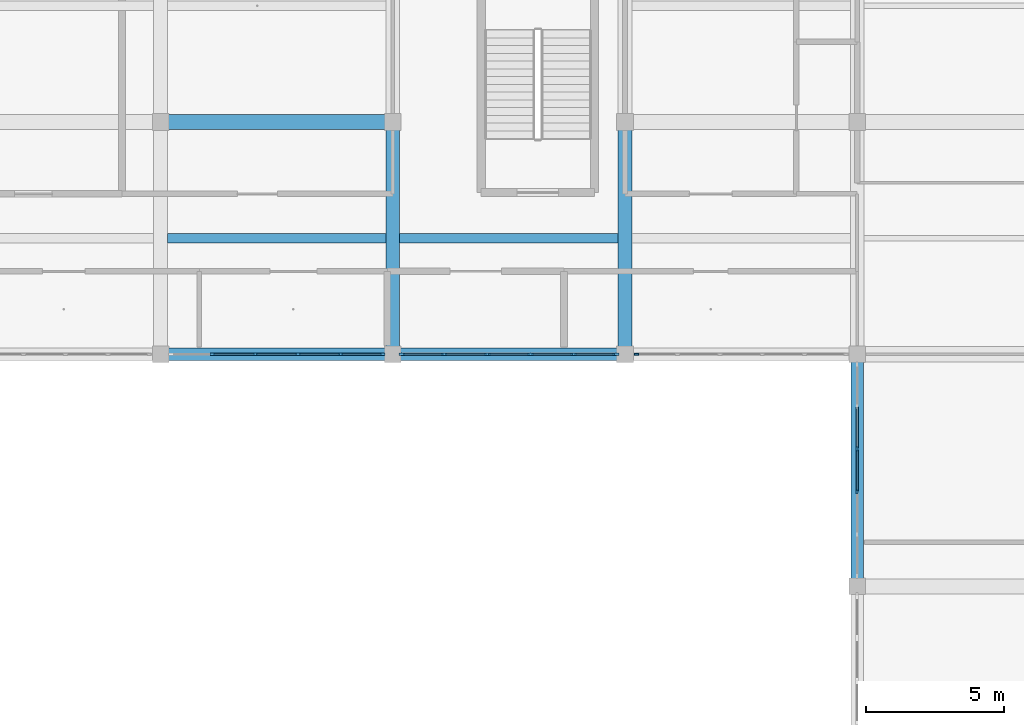
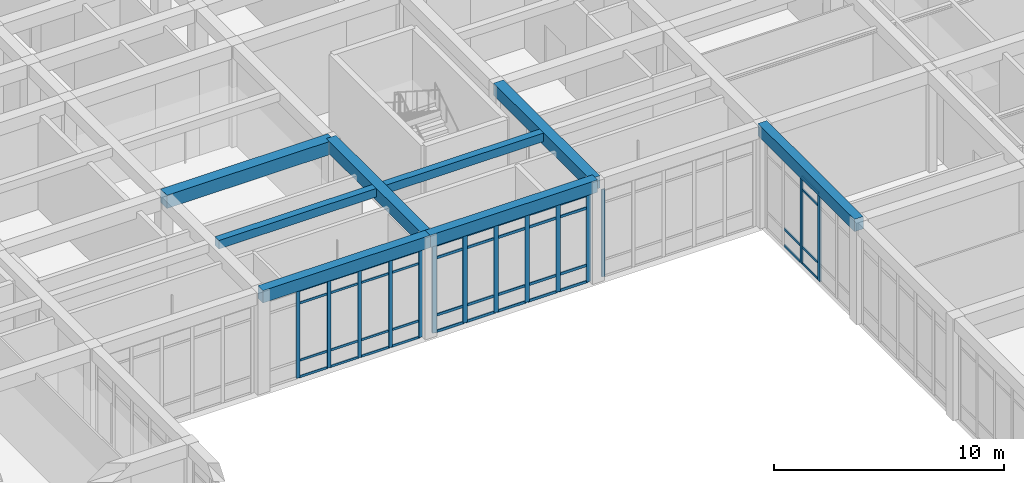
# One storey, part 51 of 157: 56 members, 8 beams, 4 elements without a shape of their own.
"""IFC4 building model written with IfcOpenShell, lengths in metres."""

from ifc_helpers import new_model, si_unit, direction, frame, origin, origin_2d, place, context, subcontext, project, spatial, rectangle, extrude, material, material_profile, profile_set, type_object, element, aggregate, save


model = new_model("IFC4")

# Units and contexts
model_context = context("Model", 3, precision=1e-05, world=origin(), true_north=direction((0.0, 1.0)))
body_context = subcontext(model_context, "Body", "Model", "MODEL_VIEW")
ifc_project = project(units=[si_unit("LENGTHUNIT", "METRE"), si_unit("AREAUNIT", "SQUARE_METRE"), si_unit("VOLUMEUNIT", "CUBIC_METRE"), si_unit("PLANEANGLEUNIT", "RADIAN"), si_unit("MASSUNIT", "GRAM", prefix="KILO")], contexts=[model_context])

# Site, building, storey
site_placement = place(None, origin())
site = spatial("IfcSite", under=ifc_project, at=site_placement, CompositionType="ELEMENT")
building_placement = place(site_placement, origin())
building = spatial("IfcBuilding", under=site, at=building_placement, Name="Varncliffe General Hospital", CompositionType="ELEMENT")
storey_placement = place(building_placement, frame((0.0, 0.0, 5.39990234375)))
storey = spatial("IfcBuildingStorey", under=building, at=storey_placement, Name="L01", CompositionType="ELEMENT", Elevation=5.39990234375)

# Beams
ifc_material_1 = material(Name="Concrete C35/45 (CSA A23.1 35 MPa)", Category="concrete")
ifc_material_profile_1 = material_profile(ifc_material_1, rectangle(XDim=0.5, YDim=0.64990234375, at=origin_2d()), Name="RC 500x650")
ifc_profile_set_1 = profile_set([ifc_material_profile_1], Name="Concrete C35/45 (CSA A23.1 35 MPa)")
beam_type_1 = type_object("IfcBeamType", Name="Beam B29 (Int RC 500x650)", PredefinedType="BEAM", material=ifc_profile_set_1)
for number, where, z_axis, x_axis, name in (
    (1, (134.39990234375, 82.800048828125, 5.0751953125), (0.0, 1.0, 0.0), (-1.0, 0.0, 0.0), "L01 Primary Beam B29-444"),
    (2, (142.800048828125, 82.800048828125, 5.0751953125), (0.0, 1.0, 0.0), (-1.0, 0.0, 0.0), "L01 Primary Beam B29-453"),
):
    element("IfcBeam", number, at=place(storey_placement, frame(where, z_axis=z_axis, x_axis=x_axis)), inside=storey, type_object=beam_type_1, Name=name, PredefinedType="BEAM", context=body_context, shape_type="SweptSolid", body=[
        extrude(rectangle(XDim=0.5, YDim=0.64990234375, at=origin_2d()), origin(), (0.0, 0.0, 1.0), 8.39990234375),
    ])
ifc_material_profile_2 = material_profile(ifc_material_1, rectangle(XDim=0.550048828125, YDim=0.699951171875, at=origin_2d()), Name="RC 550x700")
ifc_profile_set_2 = profile_set([ifc_material_profile_2], Name="Concrete C35/45 (CSA A23.1 35 MPa)")
beam_type_2 = type_object("IfcBeamType", Name="Beam B35 (Int RC 550x700)", PredefinedType="BEAM", material=ifc_profile_set_2)
beam_1_placement = place(storey_placement, frame((126.0, 91.199951171875, 5.050048828125), z_axis=(1.0, 0.0, 0.0), x_axis=(0.0, 1.0, 0.0)))
element("IfcBeam", 3, at=beam_1_placement, inside=storey, type_object=beam_type_2, Name="L01 Primary Beam B35-145", PredefinedType="BEAM", context=body_context, shape_type="SweptSolid", body=[
    extrude(rectangle(XDim=0.550048828125, YDim=0.699951171875, at=origin_2d()), origin(), (0.0, 0.0, 1.0), 8.39990234375),
])

# Curtain wall, members
ifc_material_2 = material(Name="Triple low-E argon insulated vision glazing", Category="glass")
curtain_wall_type_1 = type_object("IfcCurtainWallType", Name="Unitised Glazed Curtain Wall CW70 (7724x4640)", PredefinedType="USERDEFINED", material=ifc_material_2)
curtain_wall_1_placement = place(storey_placement, origin())
curtain_wall_1 = element("IfcCurtainWall", 4, at=curtain_wall_1_placement, inside=storey, type_object=curtain_wall_type_1, Name="L01 Glazed Curtain Wall CW70-67", ObjectType="GLAZED CURTAIN WALL", PredefinedType="USERDEFINED")
ifc_material_3 = material(Name="Dark bronze thermally broken aluminium framing", Category="aluminium")
ifc_material_profile_3 = material_profile(ifc_material_3, rectangle(XDim=0.074951171875, YDim=0.179931640625, at=origin_2d()), Name="ALU 75x180")
ifc_profile_set_3 = profile_set([ifc_material_profile_3], Name="Dark bronze thermally broken aluminium framing")
member_type_1 = type_object("IfcMemberType", Name="Curtain Wall Mullion CM44 (ALU 75x180)", PredefinedType="MULLION", material=ifc_profile_set_3)
member_1_placement = place(storey_placement, frame((151.199951171875, 77.82763671875, 0.0), z_axis=(0.0, 0.0, 1.0), x_axis=(-1.0, 0.0, 0.0)))
member_1 = element("IfcMember", 5, at=member_1_placement, type_object=member_type_1, Name="CW70 mullion 3", PredefinedType="MULLION", context=body_context, shape_type="SweptSolid", body=[
    extrude(rectangle(XDim=0.074951171875, YDim=0.179931640625, at=origin_2d()), origin(), (0.0, 0.0, 1.0), 4.64013671875),
])
member_2_placement = place(storey_placement, frame((151.199951171875, 79.372314453125, 0.0), z_axis=(0.0, 0.0, 1.0), x_axis=(-1.0, 0.0, 0.0)))
member_2 = element("IfcMember", 6, at=member_2_placement, type_object=member_type_1, Name="CW70 mullion 4", PredefinedType="MULLION", context=body_context, shape_type="SweptSolid", body=[
    extrude(rectangle(XDim=0.074951171875, YDim=0.179931640625, at=origin_2d()), origin(), (0.0, 0.0, 1.0), 4.64013671875),
])

curtain_wall_2_placement = place(storey_placement, origin())
curtain_wall_2 = element("IfcCurtainWall", 7, at=curtain_wall_2_placement, inside=storey, type_object=curtain_wall_type_1, Name="L01 Glazed Curtain Wall CW70-70", ObjectType="GLAZED CURTAIN WALL", PredefinedType="USERDEFINED")
member_3_placement = place(storey_placement, frame((134.0244140625, 82.800048828125, 0.0), z_axis=(0.0, 0.0, 1.0), x_axis=(0.0, -1.0, 0.0)))
member_3 = element("IfcMember", 8, at=member_3_placement, type_object=member_type_1, Name="CW70 mullion 1", PredefinedType="MULLION", context=body_context, shape_type="SweptSolid", body=[
    extrude(rectangle(XDim=0.074951171875, YDim=0.179931640625, at=origin_2d()), origin(), (0.0, 0.0, 1.0), 4.64013671875),
])
member_4_placement = place(storey_placement, frame((132.51708984375, 82.800048828125, 0.0), z_axis=(0.0, 0.0, 1.0), x_axis=(0.0, -1.0, 0.0)))
member_4 = element("IfcMember", 9, at=member_4_placement, type_object=member_type_1, Name="CW70 mullion 2", PredefinedType="MULLION", context=body_context, shape_type="SweptSolid", body=[
    extrude(rectangle(XDim=0.074951171875, YDim=0.179931640625, at=origin_2d()), origin(), (0.0, 0.0, 1.0), 4.64013671875),
])
member_5_placement = place(storey_placement, frame((130.972412109375, 82.800048828125, 0.0), z_axis=(0.0, 0.0, 1.0), x_axis=(0.0, -1.0, 0.0)))
member_5 = element("IfcMember", 10, at=member_5_placement, type_object=member_type_1, Name="CW70 mullion 3", PredefinedType="MULLION", context=body_context, shape_type="SweptSolid", body=[
    extrude(rectangle(XDim=0.074951171875, YDim=0.179931640625, at=origin_2d()), origin(), (0.0, 0.0, 1.0), 4.64013671875),
])
member_6_placement = place(storey_placement, frame((129.427490234375, 82.800048828125, 0.0), z_axis=(0.0, 0.0, 1.0), x_axis=(0.0, -1.0, 0.0)))
member_6 = element("IfcMember", 11, at=member_6_placement, type_object=member_type_1, Name="CW70 mullion 4", PredefinedType="MULLION", context=body_context, shape_type="SweptSolid", body=[
    extrude(rectangle(XDim=0.074951171875, YDim=0.179931640625, at=origin_2d()), origin(), (0.0, 0.0, 1.0), 4.64013671875),
])
member_7_placement = place(storey_placement, frame((127.8828125, 82.800048828125, 0.0), z_axis=(0.0, 0.0, 1.0), x_axis=(0.0, -1.0, 0.0)))
member_7 = element("IfcMember", 12, at=member_7_placement, type_object=member_type_1, Name="CW70 mullion 5", PredefinedType="MULLION", context=body_context, shape_type="SweptSolid", body=[
    extrude(rectangle(XDim=0.074951171875, YDim=0.179931640625, at=origin_2d()), origin(), (0.0, 0.0, 1.0), 4.64013671875),
])

# Curtain wall, member
curtain_wall_type_2 = type_object("IfcCurtainWallType", Name="Unitised Glazed Curtain Wall CW27 (7644x4640)", PredefinedType="USERDEFINED", material=ifc_material_2)
curtain_wall_3_placement = place(storey_placement, origin())
curtain_wall_3 = element("IfcCurtainWall", 13, at=curtain_wall_3_placement, inside=storey, type_object=curtain_wall_type_2, Name="L01 Glazed Curtain Wall CW27-68", ObjectType="GLAZED CURTAIN WALL", PredefinedType="USERDEFINED")
ifc_material_profile_4 = material_profile(ifc_material_3, rectangle(XDim=0.06494140625, YDim=0.159912109375, at=origin_2d()), Name="ALU 65x160")
ifc_profile_set_4 = profile_set([ifc_material_profile_4], Name="Dark bronze thermally broken aluminium framing")
member_type_2 = type_object("IfcMemberType", Name="Curtain Wall Mullion CM65 (ALU 65x160)", PredefinedType="MULLION", material=ifc_profile_set_4)
member_8_placement = place(storey_placement, frame((143.21044921875, 82.800048828125, 0.0), z_axis=(0.0, 0.0, 1.0), x_axis=(0.0, -1.0, 0.0)))
member_8 = element("IfcMember", 14, at=member_8_placement, type_object=member_type_2, Name="CW27 mullion 6", PredefinedType="MULLION", context=body_context, shape_type="SweptSolid", body=[
    extrude(rectangle(XDim=0.06494140625, YDim=0.159912109375, at=origin_2d()), origin(), (0.0, 0.0, 1.0), 4.64013671875),
])
aggregate(curtain_wall_3, [member_8])

# Curtain wall, members
curtain_wall_type_3 = type_object("IfcCurtainWallType", Name="Unitised Glazed Curtain Wall CW85 (7804x4640)", PredefinedType="USERDEFINED", material=ifc_material_2)
curtain_wall_4_placement = place(storey_placement, origin())
curtain_wall_4 = element("IfcCurtainWall", 15, at=curtain_wall_4_placement, inside=storey, type_object=curtain_wall_type_3, Name="L01 Glazed Curtain Wall CW85-69", ObjectType="GLAZED CURTAIN WALL", PredefinedType="USERDEFINED")
ifc_material_profile_5 = material_profile(ifc_material_3, rectangle(XDim=0.074951171875, YDim=0.219970703125, at=origin_2d()), Name="ALU 75x220")
ifc_profile_set_5 = profile_set([ifc_material_profile_5], Name="Dark bronze thermally broken aluminium framing")
member_type_3 = type_object("IfcMemberType", Name="Curtain Wall Mullion CM74 (ALU 75x220)", PredefinedType="MULLION", material=ifc_profile_set_5)
member_9_placement = place(storey_placement, frame((142.464599609375, 82.800048828125, 0.0), z_axis=(0.0, 0.0, 1.0), x_axis=(0.0, -1.0, 0.0)))
member_9 = element("IfcMember", 16, at=member_9_placement, type_object=member_type_3, Name="CW85 mullion 1", PredefinedType="MULLION", context=body_context, shape_type="SweptSolid", body=[
    extrude(rectangle(XDim=0.074951171875, YDim=0.219970703125, at=origin_2d()), origin(), (0.0, 0.0, 1.0), 4.64013671875),
])
member_10_placement = place(storey_placement, frame((140.941162109375, 82.800048828125, 0.0), z_axis=(0.0, 0.0, 1.0), x_axis=(0.0, -1.0, 0.0)))
member_10 = element("IfcMember", 17, at=member_10_placement, type_object=member_type_3, Name="CW85 mullion 2", PredefinedType="MULLION", context=body_context, shape_type="SweptSolid", body=[
    extrude(rectangle(XDim=0.074951171875, YDim=0.219970703125, at=origin_2d()), origin(), (0.0, 0.0, 1.0), 4.64013671875),
])
member_11_placement = place(storey_placement, frame((139.38037109375, 82.800048828125, 0.0), z_axis=(0.0, 0.0, 1.0), x_axis=(0.0, -1.0, 0.0)))
member_11 = element("IfcMember", 18, at=member_11_placement, type_object=member_type_3, Name="CW85 mullion 3", PredefinedType="MULLION", context=body_context, shape_type="SweptSolid", body=[
    extrude(rectangle(XDim=0.074951171875, YDim=0.219970703125, at=origin_2d()), origin(), (0.0, 0.0, 1.0), 4.64013671875),
])
member_12_placement = place(storey_placement, frame((137.819580078125, 82.800048828125, 0.0), z_axis=(0.0, 0.0, 1.0), x_axis=(0.0, -1.0, 0.0)))
member_12 = element("IfcMember", 19, at=member_12_placement, type_object=member_type_3, Name="CW85 mullion 4", PredefinedType="MULLION", context=body_context, shape_type="SweptSolid", body=[
    extrude(rectangle(XDim=0.074951171875, YDim=0.219970703125, at=origin_2d()), origin(), (0.0, 0.0, 1.0), 4.64013671875),
])
member_13_placement = place(storey_placement, frame((136.2587890625, 82.800048828125, 0.0), z_axis=(0.0, 0.0, 1.0), x_axis=(0.0, -1.0, 0.0)))
member_13 = element("IfcMember", 20, at=member_13_placement, type_object=member_type_3, Name="CW85 mullion 5", PredefinedType="MULLION", context=body_context, shape_type="SweptSolid", body=[
    extrude(rectangle(XDim=0.074951171875, YDim=0.219970703125, at=origin_2d()), origin(), (0.0, 0.0, 1.0), 4.64013671875),
])
member_14_placement = place(storey_placement, frame((134.735595703125, 82.800048828125, 0.0), z_axis=(0.0, 0.0, 1.0), x_axis=(0.0, -1.0, 0.0)))
member_14 = element("IfcMember", 21, at=member_14_placement, type_object=member_type_3, Name="CW85 mullion 6", PredefinedType="MULLION", context=body_context, shape_type="SweptSolid", body=[
    extrude(rectangle(XDim=0.074951171875, YDim=0.219970703125, at=origin_2d()), origin(), (0.0, 0.0, 1.0), 4.64013671875),
])

# Member
ifc_material_profile_6 = material_profile(ifc_material_3, rectangle(XDim=0.06005859375, YDim=0.1201171875, at=origin_2d()), Name="ALU 60x120")
ifc_profile_set_6 = profile_set([ifc_material_profile_6], Name="Dark bronze thermally broken aluminium framing")
member_type_4 = type_object("IfcMemberType", Name="Curtain Wall Transom CT14 (ALU 60x120)", PredefinedType="USERDEFINED", material=ifc_profile_set_6)
member_15_placement = place(storey_placement, frame((151.199951171875, 77.864990234375, 0.030029296875), z_axis=(0.0, 1.0, 0.0), x_axis=(-1.0, 0.0, 0.0)))
member_15 = element("IfcMember", 22, at=member_15_placement, type_object=member_type_4, Name="CW70 transom 3.1", ObjectType="TRANSOM", PredefinedType="USERDEFINED", context=body_context, shape_type="SweptSolid", body=[
    extrude(rectangle(XDim=0.06005859375, YDim=0.1201171875, at=origin_2d()), origin(), (0.0, 0.0, 1.0), 1.469970703125),
])

member_16_placement = place(storey_placement, frame((151.199951171875, 77.864990234375, 0.900146484375), z_axis=(0.0, 1.0, 0.0), x_axis=(-1.0, 0.0, 0.0)))
member_16 = element("IfcMember", 23, at=member_16_placement, type_object=member_type_4, Name="CW70 transom 3.2", ObjectType="TRANSOM", PredefinedType="USERDEFINED", context=body_context, shape_type="SweptSolid", body=[
    extrude(rectangle(XDim=0.06005859375, YDim=0.1201171875, at=origin_2d()), origin(), (0.0, 0.0, 1.0), 1.469970703125),
])

member_17_placement = place(storey_placement, frame((151.199951171875, 77.864990234375, 3.940185546875), z_axis=(0.0, 1.0, 0.0), x_axis=(-1.0, 0.0, 0.0)))
member_17 = element("IfcMember", 24, at=member_17_placement, type_object=member_type_4, Name="CW70 transom 3.3", ObjectType="TRANSOM", PredefinedType="USERDEFINED", context=body_context, shape_type="SweptSolid", body=[
    extrude(rectangle(XDim=0.06005859375, YDim=0.1201171875, at=origin_2d()), origin(), (0.0, 0.0, 1.0), 1.469970703125),
])

member_18_placement = place(storey_placement, frame((151.199951171875, 77.864990234375, 4.610107421875), z_axis=(0.0, 1.0, 0.0), x_axis=(-1.0, 0.0, 0.0)))
member_18 = element("IfcMember", 25, at=member_18_placement, type_object=member_type_4, Name="CW70 transom 3.4", ObjectType="TRANSOM", PredefinedType="USERDEFINED", context=body_context, shape_type="SweptSolid", body=[
    extrude(rectangle(XDim=0.06005859375, YDim=0.1201171875, at=origin_2d()), origin(), (0.0, 0.0, 1.0), 1.469970703125),
])

member_19_placement = place(storey_placement, frame((151.199951171875, 79.409912109375, 0.030029296875), z_axis=(0.0, 1.0, 0.0), x_axis=(-1.0, 0.0, 0.0)))
member_19 = element("IfcMember", 26, at=member_19_placement, type_object=member_type_4, Name="CW70 transom 4.1", ObjectType="TRANSOM", PredefinedType="USERDEFINED", context=body_context, shape_type="SweptSolid", body=[
    extrude(rectangle(XDim=0.06005859375, YDim=0.1201171875, at=origin_2d()), origin(), (0.0, 0.0, 1.0), 1.4697265625),
])

member_20_placement = place(storey_placement, frame((151.199951171875, 79.409912109375, 0.900146484375), z_axis=(0.0, 1.0, 0.0), x_axis=(-1.0, 0.0, 0.0)))
member_20 = element("IfcMember", 27, at=member_20_placement, type_object=member_type_4, Name="CW70 transom 4.2", ObjectType="TRANSOM", PredefinedType="USERDEFINED", context=body_context, shape_type="SweptSolid", body=[
    extrude(rectangle(XDim=0.06005859375, YDim=0.1201171875, at=origin_2d()), origin(), (0.0, 0.0, 1.0), 1.4697265625),
])

aggregate(curtain_wall_1, [member_1, member_2, member_15, member_16, member_17, member_18, member_19, member_20])

member_21_placement = place(storey_placement, frame((133.987060546875, 82.800048828125, 0.030029296875), z_axis=(-1.0, 0.0, 0.0), x_axis=(0.0, -1.0, 0.0)))
member_21 = element("IfcMember", 28, at=member_21_placement, type_object=member_type_4, Name="CW70 transom 1.1", ObjectType="TRANSOM", PredefinedType="USERDEFINED", context=body_context, shape_type="SweptSolid", body=[
    extrude(rectangle(XDim=0.06005859375, YDim=0.1201171875, at=origin_2d()), origin(), (0.0, 0.0, 1.0), 1.432373046875),
])

member_22_placement = place(storey_placement, frame((133.987060546875, 82.800048828125, 0.900146484375), z_axis=(-1.0, 0.0, 0.0), x_axis=(0.0, -1.0, 0.0)))
member_22 = element("IfcMember", 29, at=member_22_placement, type_object=member_type_4, Name="CW70 transom 1.2", ObjectType="TRANSOM", PredefinedType="USERDEFINED", context=body_context, shape_type="SweptSolid", body=[
    extrude(rectangle(XDim=0.06005859375, YDim=0.1201171875, at=origin_2d()), origin(), (0.0, 0.0, 1.0), 1.432373046875),
])

member_23_placement = place(storey_placement, frame((133.987060546875, 82.800048828125, 3.940185546875), z_axis=(-1.0, 0.0, 0.0), x_axis=(0.0, -1.0, 0.0)))
member_23 = element("IfcMember", 30, at=member_23_placement, type_object=member_type_4, Name="CW70 transom 1.3", ObjectType="TRANSOM", PredefinedType="USERDEFINED", context=body_context, shape_type="SweptSolid", body=[
    extrude(rectangle(XDim=0.06005859375, YDim=0.1201171875, at=origin_2d()), origin(), (0.0, 0.0, 1.0), 1.432373046875),
])

member_24_placement = place(storey_placement, frame((133.987060546875, 82.800048828125, 4.610107421875), z_axis=(-1.0, 0.0, 0.0), x_axis=(0.0, -1.0, 0.0)))
member_24 = element("IfcMember", 31, at=member_24_placement, type_object=member_type_4, Name="CW70 transom 1.4", ObjectType="TRANSOM", PredefinedType="USERDEFINED", context=body_context, shape_type="SweptSolid", body=[
    extrude(rectangle(XDim=0.06005859375, YDim=0.1201171875, at=origin_2d()), origin(), (0.0, 0.0, 1.0), 1.432373046875),
])

member_25_placement = place(storey_placement, frame((132.479736328125, 82.800048828125, 0.030029296875), z_axis=(-1.0, 0.0, 0.0), x_axis=(0.0, -1.0, 0.0)))
member_25 = element("IfcMember", 32, at=member_25_placement, type_object=member_type_4, Name="CW70 transom 2.1", ObjectType="TRANSOM", PredefinedType="USERDEFINED", context=body_context, shape_type="SweptSolid", body=[
    extrude(rectangle(XDim=0.06005859375, YDim=0.1201171875, at=origin_2d()), origin(), (0.0, 0.0, 1.0), 1.4697265625),
])

member_26_placement = place(storey_placement, frame((132.479736328125, 82.800048828125, 0.900146484375), z_axis=(-1.0, 0.0, 0.0), x_axis=(0.0, -1.0, 0.0)))
member_26 = element("IfcMember", 33, at=member_26_placement, type_object=member_type_4, Name="CW70 transom 2.2", ObjectType="TRANSOM", PredefinedType="USERDEFINED", context=body_context, shape_type="SweptSolid", body=[
    extrude(rectangle(XDim=0.06005859375, YDim=0.1201171875, at=origin_2d()), origin(), (0.0, 0.0, 1.0), 1.4697265625),
])

member_27_placement = place(storey_placement, frame((132.479736328125, 82.800048828125, 3.940185546875), z_axis=(-1.0, 0.0, 0.0), x_axis=(0.0, -1.0, 0.0)))
member_27 = element("IfcMember", 34, at=member_27_placement, type_object=member_type_4, Name="CW70 transom 2.3", ObjectType="TRANSOM", PredefinedType="USERDEFINED", context=body_context, shape_type="SweptSolid", body=[
    extrude(rectangle(XDim=0.06005859375, YDim=0.1201171875, at=origin_2d()), origin(), (0.0, 0.0, 1.0), 1.4697265625),
])

member_28_placement = place(storey_placement, frame((132.479736328125, 82.800048828125, 4.610107421875), z_axis=(-1.0, 0.0, 0.0), x_axis=(0.0, -1.0, 0.0)))
member_28 = element("IfcMember", 35, at=member_28_placement, type_object=member_type_4, Name="CW70 transom 2.4", ObjectType="TRANSOM", PredefinedType="USERDEFINED", context=body_context, shape_type="SweptSolid", body=[
    extrude(rectangle(XDim=0.06005859375, YDim=0.1201171875, at=origin_2d()), origin(), (0.0, 0.0, 1.0), 1.4697265625),
])

member_29_placement = place(storey_placement, frame((130.934814453125, 82.800048828125, 0.030029296875), z_axis=(-1.0, 0.0, 0.0), x_axis=(0.0, -1.0, 0.0)))
member_29 = element("IfcMember", 36, at=member_29_placement, type_object=member_type_4, Name="CW70 transom 3.1", ObjectType="TRANSOM", PredefinedType="USERDEFINED", context=body_context, shape_type="SweptSolid", body=[
    extrude(rectangle(XDim=0.06005859375, YDim=0.1201171875, at=origin_2d()), origin(), (0.0, 0.0, 1.0), 1.4697265625),
])

member_30_placement = place(storey_placement, frame((130.934814453125, 82.800048828125, 0.900146484375), z_axis=(-1.0, 0.0, 0.0), x_axis=(0.0, -1.0, 0.0)))
member_30 = element("IfcMember", 37, at=member_30_placement, type_object=member_type_4, Name="CW70 transom 3.2", ObjectType="TRANSOM", PredefinedType="USERDEFINED", context=body_context, shape_type="SweptSolid", body=[
    extrude(rectangle(XDim=0.06005859375, YDim=0.1201171875, at=origin_2d()), origin(), (0.0, 0.0, 1.0), 1.4697265625),
])

member_31_placement = place(storey_placement, frame((130.934814453125, 82.800048828125, 3.940185546875), z_axis=(-1.0, 0.0, 0.0), x_axis=(0.0, -1.0, 0.0)))
member_31 = element("IfcMember", 38, at=member_31_placement, type_object=member_type_4, Name="CW70 transom 3.3", ObjectType="TRANSOM", PredefinedType="USERDEFINED", context=body_context, shape_type="SweptSolid", body=[
    extrude(rectangle(XDim=0.06005859375, YDim=0.1201171875, at=origin_2d()), origin(), (0.0, 0.0, 1.0), 1.4697265625),
])

member_32_placement = place(storey_placement, frame((130.934814453125, 82.800048828125, 4.610107421875), z_axis=(-1.0, 0.0, 0.0), x_axis=(0.0, -1.0, 0.0)))
member_32 = element("IfcMember", 39, at=member_32_placement, type_object=member_type_4, Name="CW70 transom 3.4", ObjectType="TRANSOM", PredefinedType="USERDEFINED", context=body_context, shape_type="SweptSolid", body=[
    extrude(rectangle(XDim=0.06005859375, YDim=0.1201171875, at=origin_2d()), origin(), (0.0, 0.0, 1.0), 1.4697265625),
])

member_33_placement = place(storey_placement, frame((129.39013671875, 82.800048828125, 0.030029296875), z_axis=(-1.0, 0.0, 0.0), x_axis=(0.0, -1.0, 0.0)))
member_33 = element("IfcMember", 40, at=member_33_placement, type_object=member_type_4, Name="CW70 transom 4.1", ObjectType="TRANSOM", PredefinedType="USERDEFINED", context=body_context, shape_type="SweptSolid", body=[
    extrude(rectangle(XDim=0.06005859375, YDim=0.1201171875, at=origin_2d()), origin(), (0.0, 0.0, 1.0), 1.4697265625),
])

member_34_placement = place(storey_placement, frame((129.39013671875, 82.800048828125, 0.900146484375), z_axis=(-1.0, 0.0, 0.0), x_axis=(0.0, -1.0, 0.0)))
member_34 = element("IfcMember", 41, at=member_34_placement, type_object=member_type_4, Name="CW70 transom 4.2", ObjectType="TRANSOM", PredefinedType="USERDEFINED", context=body_context, shape_type="SweptSolid", body=[
    extrude(rectangle(XDim=0.06005859375, YDim=0.1201171875, at=origin_2d()), origin(), (0.0, 0.0, 1.0), 1.4697265625),
])

member_35_placement = place(storey_placement, frame((129.39013671875, 82.800048828125, 3.940185546875), z_axis=(-1.0, 0.0, 0.0), x_axis=(0.0, -1.0, 0.0)))
member_35 = element("IfcMember", 42, at=member_35_placement, type_object=member_type_4, Name="CW70 transom 4.3", ObjectType="TRANSOM", PredefinedType="USERDEFINED", context=body_context, shape_type="SweptSolid", body=[
    extrude(rectangle(XDim=0.06005859375, YDim=0.1201171875, at=origin_2d()), origin(), (0.0, 0.0, 1.0), 1.4697265625),
])

member_36_placement = place(storey_placement, frame((129.39013671875, 82.800048828125, 4.610107421875), z_axis=(-1.0, 0.0, 0.0), x_axis=(0.0, -1.0, 0.0)))
member_36 = element("IfcMember", 43, at=member_36_placement, type_object=member_type_4, Name="CW70 transom 4.4", ObjectType="TRANSOM", PredefinedType="USERDEFINED", context=body_context, shape_type="SweptSolid", body=[
    extrude(rectangle(XDim=0.06005859375, YDim=0.1201171875, at=origin_2d()), origin(), (0.0, 0.0, 1.0), 1.4697265625),
])

aggregate(curtain_wall_2, [member_3, member_4, member_5, member_6, member_7, member_21, member_22, member_23, member_24, member_25, member_26, member_27, member_28, member_29, member_30, member_31, member_32, member_33, member_34, member_35, member_36])

ifc_material_profile_7 = material_profile(ifc_material_3, rectangle(XDim=0.06494140625, YDim=0.139892578125, at=origin_2d()), Name="ALU 65x140")
ifc_profile_set_7 = profile_set([ifc_material_profile_7], Name="Dark bronze thermally broken aluminium framing")
member_type_5 = type_object("IfcMemberType", Name="Curtain Wall Transom CT69 (ALU 65x140)", PredefinedType="USERDEFINED", material=ifc_profile_set_7)
member_37_placement = place(storey_placement, frame((142.427001953125, 82.800048828125, 0.03271484375), z_axis=(-1.0, 0.0, 0.0), x_axis=(0.0, -1.0, 0.0)))
member_37 = element("IfcMember", 44, at=member_37_placement, type_object=member_type_5, Name="CW85 transom 1.1", ObjectType="TRANSOM", PredefinedType="USERDEFINED", context=body_context, shape_type="SweptSolid", body=[
    extrude(rectangle(XDim=0.06494140625, YDim=0.139892578125, at=origin_2d()), origin(), (0.0, 0.0, 1.0), 1.4482421875),
])

member_38_placement = place(storey_placement, frame((142.427001953125, 82.800048828125, 0.900146484375), z_axis=(-1.0, 0.0, 0.0), x_axis=(0.0, -1.0, 0.0)))
member_38 = element("IfcMember", 45, at=member_38_placement, type_object=member_type_5, Name="CW85 transom 1.2", ObjectType="TRANSOM", PredefinedType="USERDEFINED", context=body_context, shape_type="SweptSolid", body=[
    extrude(rectangle(XDim=0.06494140625, YDim=0.139892578125, at=origin_2d()), origin(), (0.0, 0.0, 1.0), 1.4482421875),
])

member_39_placement = place(storey_placement, frame((142.427001953125, 82.800048828125, 3.940185546875), z_axis=(-1.0, 0.0, 0.0), x_axis=(0.0, -1.0, 0.0)))
member_39 = element("IfcMember", 46, at=member_39_placement, type_object=member_type_5, Name="CW85 transom 1.3", ObjectType="TRANSOM", PredefinedType="USERDEFINED", context=body_context, shape_type="SweptSolid", body=[
    extrude(rectangle(XDim=0.06494140625, YDim=0.139892578125, at=origin_2d()), origin(), (0.0, 0.0, 1.0), 1.4482421875),
])

member_40_placement = place(storey_placement, frame((142.427001953125, 82.800048828125, 4.607666015625), z_axis=(-1.0, 0.0, 0.0), x_axis=(0.0, -1.0, 0.0)))
member_40 = element("IfcMember", 47, at=member_40_placement, type_object=member_type_5, Name="CW85 transom 1.4", ObjectType="TRANSOM", PredefinedType="USERDEFINED", context=body_context, shape_type="SweptSolid", body=[
    extrude(rectangle(XDim=0.06494140625, YDim=0.139892578125, at=origin_2d()), origin(), (0.0, 0.0, 1.0), 1.4482421875),
])

member_41_placement = place(storey_placement, frame((140.90380859375, 82.800048828125, 0.03271484375), z_axis=(-1.0, 0.0, 0.0), x_axis=(0.0, -1.0, 0.0)))
member_41 = element("IfcMember", 48, at=member_41_placement, type_object=member_type_5, Name="CW85 transom 2.1", ObjectType="TRANSOM", PredefinedType="USERDEFINED", context=body_context, shape_type="SweptSolid", body=[
    extrude(rectangle(XDim=0.06494140625, YDim=0.139892578125, at=origin_2d()), origin(), (0.0, 0.0, 1.0), 1.48583984375),
])

member_42_placement = place(storey_placement, frame((140.90380859375, 82.800048828125, 0.900146484375), z_axis=(-1.0, 0.0, 0.0), x_axis=(0.0, -1.0, 0.0)))
member_42 = element("IfcMember", 49, at=member_42_placement, type_object=member_type_5, Name="CW85 transom 2.2", ObjectType="TRANSOM", PredefinedType="USERDEFINED", context=body_context, shape_type="SweptSolid", body=[
    extrude(rectangle(XDim=0.06494140625, YDim=0.139892578125, at=origin_2d()), origin(), (0.0, 0.0, 1.0), 1.48583984375),
])

member_43_placement = place(storey_placement, frame((140.90380859375, 82.800048828125, 3.940185546875), z_axis=(-1.0, 0.0, 0.0), x_axis=(0.0, -1.0, 0.0)))
member_43 = element("IfcMember", 50, at=member_43_placement, type_object=member_type_5, Name="CW85 transom 2.3", ObjectType="TRANSOM", PredefinedType="USERDEFINED", context=body_context, shape_type="SweptSolid", body=[
    extrude(rectangle(XDim=0.06494140625, YDim=0.139892578125, at=origin_2d()), origin(), (0.0, 0.0, 1.0), 1.48583984375),
])

member_44_placement = place(storey_placement, frame((140.90380859375, 82.800048828125, 4.607666015625), z_axis=(-1.0, 0.0, 0.0), x_axis=(0.0, -1.0, 0.0)))
member_44 = element("IfcMember", 51, at=member_44_placement, type_object=member_type_5, Name="CW85 transom 2.4", ObjectType="TRANSOM", PredefinedType="USERDEFINED", context=body_context, shape_type="SweptSolid", body=[
    extrude(rectangle(XDim=0.06494140625, YDim=0.139892578125, at=origin_2d()), origin(), (0.0, 0.0, 1.0), 1.48583984375),
])

member_45_placement = place(storey_placement, frame((139.343017578125, 82.800048828125, 0.03271484375), z_axis=(-1.0, 0.0, 0.0), x_axis=(0.0, -1.0, 0.0)))
member_45 = element("IfcMember", 52, at=member_45_placement, type_object=member_type_5, Name="CW85 transom 3.1", ObjectType="TRANSOM", PredefinedType="USERDEFINED", context=body_context, shape_type="SweptSolid", body=[
    extrude(rectangle(XDim=0.06494140625, YDim=0.139892578125, at=origin_2d()), origin(), (0.0, 0.0, 1.0), 1.48583984375),
])

member_46_placement = place(storey_placement, frame((139.343017578125, 82.800048828125, 0.900146484375), z_axis=(-1.0, 0.0, 0.0), x_axis=(0.0, -1.0, 0.0)))
member_46 = element("IfcMember", 53, at=member_46_placement, type_object=member_type_5, Name="CW85 transom 3.2", ObjectType="TRANSOM", PredefinedType="USERDEFINED", context=body_context, shape_type="SweptSolid", body=[
    extrude(rectangle(XDim=0.06494140625, YDim=0.139892578125, at=origin_2d()), origin(), (0.0, 0.0, 1.0), 1.48583984375),
])

member_47_placement = place(storey_placement, frame((139.343017578125, 82.800048828125, 3.940185546875), z_axis=(-1.0, 0.0, 0.0), x_axis=(0.0, -1.0, 0.0)))
member_47 = element("IfcMember", 54, at=member_47_placement, type_object=member_type_5, Name="CW85 transom 3.3", ObjectType="TRANSOM", PredefinedType="USERDEFINED", context=body_context, shape_type="SweptSolid", body=[
    extrude(rectangle(XDim=0.06494140625, YDim=0.139892578125, at=origin_2d()), origin(), (0.0, 0.0, 1.0), 1.48583984375),
])

member_48_placement = place(storey_placement, frame((139.343017578125, 82.800048828125, 4.607666015625), z_axis=(-1.0, 0.0, 0.0), x_axis=(0.0, -1.0, 0.0)))
member_48 = element("IfcMember", 55, at=member_48_placement, type_object=member_type_5, Name="CW85 transom 3.4", ObjectType="TRANSOM", PredefinedType="USERDEFINED", context=body_context, shape_type="SweptSolid", body=[
    extrude(rectangle(XDim=0.06494140625, YDim=0.139892578125, at=origin_2d()), origin(), (0.0, 0.0, 1.0), 1.48583984375),
])

member_49_placement = place(storey_placement, frame((137.781982421875, 82.800048828125, 0.03271484375), z_axis=(-1.0, 0.0, 0.0), x_axis=(0.0, -1.0, 0.0)))
member_49 = element("IfcMember", 56, at=member_49_placement, type_object=member_type_5, Name="CW85 transom 4.1", ObjectType="TRANSOM", PredefinedType="USERDEFINED", context=body_context, shape_type="SweptSolid", body=[
    extrude(rectangle(XDim=0.06494140625, YDim=0.139892578125, at=origin_2d()), origin(), (0.0, 0.0, 1.0), 1.485595703125),
])

member_50_placement = place(storey_placement, frame((137.781982421875, 82.800048828125, 0.900146484375), z_axis=(-1.0, 0.0, 0.0), x_axis=(0.0, -1.0, 0.0)))
member_50 = element("IfcMember", 57, at=member_50_placement, type_object=member_type_5, Name="CW85 transom 4.2", ObjectType="TRANSOM", PredefinedType="USERDEFINED", context=body_context, shape_type="SweptSolid", body=[
    extrude(rectangle(XDim=0.06494140625, YDim=0.139892578125, at=origin_2d()), origin(), (0.0, 0.0, 1.0), 1.485595703125),
])

member_51_placement = place(storey_placement, frame((137.781982421875, 82.800048828125, 3.940185546875), z_axis=(-1.0, 0.0, 0.0), x_axis=(0.0, -1.0, 0.0)))
member_51 = element("IfcMember", 58, at=member_51_placement, type_object=member_type_5, Name="CW85 transom 4.3", ObjectType="TRANSOM", PredefinedType="USERDEFINED", context=body_context, shape_type="SweptSolid", body=[
    extrude(rectangle(XDim=0.06494140625, YDim=0.139892578125, at=origin_2d()), origin(), (0.0, 0.0, 1.0), 1.485595703125),
])

member_52_placement = place(storey_placement, frame((137.781982421875, 82.800048828125, 4.607666015625), z_axis=(-1.0, 0.0, 0.0), x_axis=(0.0, -1.0, 0.0)))
member_52 = element("IfcMember", 59, at=member_52_placement, type_object=member_type_5, Name="CW85 transom 4.4", ObjectType="TRANSOM", PredefinedType="USERDEFINED", context=body_context, shape_type="SweptSolid", body=[
    extrude(rectangle(XDim=0.06494140625, YDim=0.139892578125, at=origin_2d()), origin(), (0.0, 0.0, 1.0), 1.485595703125),
])

member_53_placement = place(storey_placement, frame((136.22119140625, 82.800048828125, 0.03271484375), z_axis=(-1.0, 0.0, 0.0), x_axis=(0.0, -1.0, 0.0)))
member_53 = element("IfcMember", 60, at=member_53_placement, type_object=member_type_5, Name="CW85 transom 5.1", ObjectType="TRANSOM", PredefinedType="USERDEFINED", context=body_context, shape_type="SweptSolid", body=[
    extrude(rectangle(XDim=0.06494140625, YDim=0.139892578125, at=origin_2d()), origin(), (0.0, 0.0, 1.0), 1.4482421875),
])

member_54_placement = place(storey_placement, frame((136.22119140625, 82.800048828125, 0.900146484375), z_axis=(-1.0, 0.0, 0.0), x_axis=(0.0, -1.0, 0.0)))
member_54 = element("IfcMember", 61, at=member_54_placement, type_object=member_type_5, Name="CW85 transom 5.2", ObjectType="TRANSOM", PredefinedType="USERDEFINED", context=body_context, shape_type="SweptSolid", body=[
    extrude(rectangle(XDim=0.06494140625, YDim=0.139892578125, at=origin_2d()), origin(), (0.0, 0.0, 1.0), 1.4482421875),
])

member_55_placement = place(storey_placement, frame((136.22119140625, 82.800048828125, 3.940185546875), z_axis=(-1.0, 0.0, 0.0), x_axis=(0.0, -1.0, 0.0)))
member_55 = element("IfcMember", 62, at=member_55_placement, type_object=member_type_5, Name="CW85 transom 5.3", ObjectType="TRANSOM", PredefinedType="USERDEFINED", context=body_context, shape_type="SweptSolid", body=[
    extrude(rectangle(XDim=0.06494140625, YDim=0.139892578125, at=origin_2d()), origin(), (0.0, 0.0, 1.0), 1.4482421875),
])

member_56_placement = place(storey_placement, frame((136.22119140625, 82.800048828125, 4.607666015625), z_axis=(-1.0, 0.0, 0.0), x_axis=(0.0, -1.0, 0.0)))
member_56 = element("IfcMember", 63, at=member_56_placement, type_object=member_type_5, Name="CW85 transom 5.4", ObjectType="TRANSOM", PredefinedType="USERDEFINED", context=body_context, shape_type="SweptSolid", body=[
    extrude(rectangle(XDim=0.06494140625, YDim=0.139892578125, at=origin_2d()), origin(), (0.0, 0.0, 1.0), 1.4482421875),
])

aggregate(curtain_wall_4, [member_9, member_10, member_11, member_12, member_13, member_14, member_37, member_38, member_39, member_40, member_41, member_42, member_43, member_44, member_45, member_46, member_47, member_48, member_49, member_50, member_51, member_52, member_53, member_54, member_55, member_56])

# Beams
ifc_material_profile_8 = material_profile(ifc_material_1, rectangle(XDim=0.35009765625, YDim=0.449951171875, at=origin_2d()), Name="RC 350x450")
ifc_profile_set_8 = profile_set([ifc_material_profile_8], Name="Concrete C35/45 (CSA A23.1 35 MPa)")
beam_type_3 = type_object("IfcBeamType", Name="Joist J55 (Int RC 350x450)", PredefinedType="JOIST", material=ifc_profile_set_8)
for number, where, z_axis, x_axis, name in (
    (64, (126.248046875, 87.0, 5.175048828125), (1.0, 0.0, 0.0), (0.0, 1.0, 0.0), "L01 Secondary Floor Rib J55-64"),
    (65, (134.64794921875, 87.0, 5.175048828125), (1.0, 0.0, 0.0), (0.0, 1.0, 0.0), "L01 Secondary Floor Rib J55-67"),
):
    element("IfcBeam", number, at=place(storey_placement, frame(where, z_axis=z_axis, x_axis=x_axis)), inside=storey, type_object=beam_type_3, Name=name, PredefinedType="JOIST", context=body_context, shape_type="SweptSolid", body=[
        extrude(rectangle(XDim=0.35009765625, YDim=0.449951171875, at=origin_2d()), origin(), (0.0, 0.0, 1.0), 7.904052734375),
    ])
ifc_material_profile_9 = material_profile(ifc_material_1, rectangle(XDim=0.449951171875, YDim=0.64990234375, at=origin_2d()), Name="RC 450x650")
ifc_profile_set_9 = profile_set([ifc_material_profile_9], Name="Concrete C35/45 (CSA A23.1 35 MPa)")
beam_type_4 = type_object("IfcBeamType", Name="Spandrel SP38 (Ext RC 450x650B)", PredefinedType="SPANDREL", material=ifc_profile_set_9)
beam_2_placement = place(storey_placement, frame((126.0, 82.800048828125, 5.0751953125), z_axis=(1.0, 0.0, 0.0), x_axis=(0.0, 1.0, 0.0)))
element("IfcBeam", 66, at=beam_2_placement, inside=storey, type_object=beam_type_4, Name="L01 Spandrel Beam SP38-127", PredefinedType="SPANDREL", context=body_context, shape_type="SweptSolid", body=[
    extrude(rectangle(XDim=0.449951171875, YDim=0.64990234375, at=origin_2d()), origin(), (0.0, 0.0, 1.0), 8.39990234375),
])
for number, where, z_axis, x_axis, name in (
    (67, (134.39990234375, 82.800048828125, 5.0751953125), (1.0, 0.0, 0.0), (0.0, 1.0, 0.0), "L01 Spandrel Beam SP38-128"),
    (68, (151.199951171875, 74.39990234375, 5.0751953125), (0.0, 1.0, 0.0), (-1.0, 0.0, 0.0), "L01 Spandrel Beam SP38-469"),
):
    element("IfcBeam", number, at=place(storey_placement, frame(where, z_axis=z_axis, x_axis=x_axis)), inside=storey, type_object=beam_type_4, Name=name, PredefinedType="SPANDREL", context=body_context, shape_type="SweptSolid", body=[
        extrude(rectangle(XDim=0.449951171875, YDim=0.64990234375, at=origin_2d()), origin(), (0.0, 0.0, 1.0), 8.400146484375),
    ])

save(model, "model.ifc")
